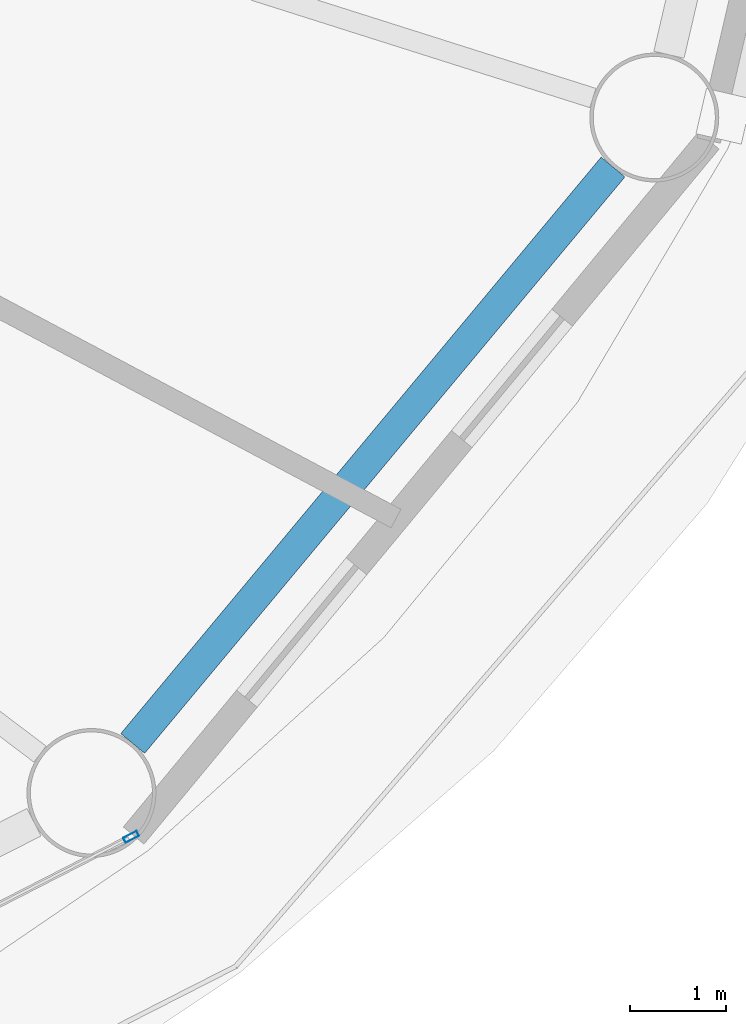
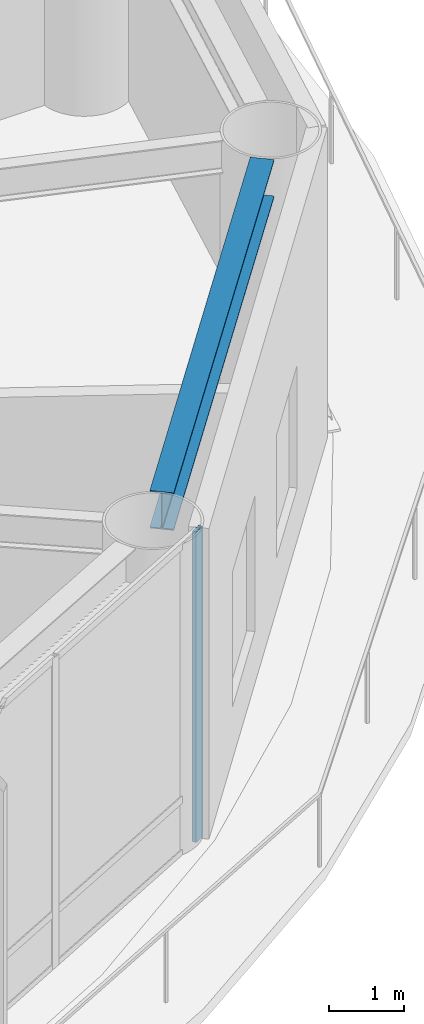
# One storey, part 7 of 25: 1 beam, 1 member, 1 element without a shape of its own.
"""IFC4 building model written with IfcOpenShell, lengths in metres."""

from ifc_helpers import new_model, si_unit, direction, frame, origin, origin_2d, place, context, subcontext, project, spatial, hollow_rectangle, i_section, extrude, material, layer, layer_set, material_profile, profile_set, type_object, element, aggregate, save


model = new_model("IFC4")

# Units and contexts
model_context = context("Model", 3, precision=1e-05, world=origin(), true_north=direction((0.0, 1.0)))
body_context = subcontext(model_context, "Body", "Model", "MODEL_VIEW")
ifc_project = project(units=[si_unit("LENGTHUNIT", "METRE"), si_unit("AREAUNIT", "SQUARE_METRE"), si_unit("VOLUMEUNIT", "CUBIC_METRE"), si_unit("PLANEANGLEUNIT", "RADIAN"), si_unit("MASSUNIT", "GRAM", prefix="KILO")], contexts=[model_context])

# Site, building, storey
site_placement = place(None, origin())
site = spatial("IfcSite", under=ifc_project, at=site_placement, CompositionType="ELEMENT")
building_placement = place(site_placement, origin())
building = spatial("IfcBuilding", under=site, at=building_placement, Name="Sarneth Arch Tower", CompositionType="ELEMENT")
storey_placement = place(building_placement, frame((0.0, 0.0, 134.39990234375)))
storey = spatial("IfcBuildingStorey", under=building, at=storey_placement, Name="L34", CompositionType="ELEMENT", Elevation=134.39990234375)

# Beam
ifc_material_1 = material(Name="Steel S355", Category="steel")
ifc_material_profile_1 = material_profile(ifc_material_1, i_section(OverallWidth=0.323974609375, OverallDepth=0.611083984375, WebThickness=0.0126953125, FlangeThickness=0.01904296875, FilletRadius=0.01904296875, at=origin_2d()), Name="W610x155")
ifc_profile_set_1 = profile_set([ifc_material_profile_1], Name="Steel S355")
beam_type = type_object("IfcBeamType", Name="BM-SPAN-610B", PredefinedType="SPANDREL", material=ifc_profile_set_1)
beam_placement = place(storey_placement, frame((68.829833984375, 27.103515625, 4.74462890625), z_axis=(0.640169116175, 0.768234015581, 0.0), x_axis=(-0.768234015581, 0.640169116175, 0.0)))
element("IfcBeam", 1, at=beam_placement, inside=storey, type_object=beam_type, Name="L34 Perimeter spandrel beam 15", PredefinedType="SPANDREL", context=body_context, shape_type="SweptSolid", body=[
    extrude(i_section(OverallWidth=0.323974609375, OverallDepth=0.611083984375, WebThickness=0.0126953125, FlangeThickness=0.01904296875, FilletRadius=0.01904296875, at=origin_2d()), origin(), (0.0, 0.0, 1.0), 7.856201171875),
])

# Curtain wall, member
ifc_material_2 = material(Name="Anodised aluminium Type AA25 and solar-control low-e laminated IGU", Category="aluminium")
ifc_layer = layer(ifc_material_2, 0.159912109375)
ifc_layer_set = layer_set([ifc_layer], Name="Anodised aluminium Type AA25 and solar-control low-e laminated IGU")
curtain_wall_type = type_object("IfcCurtainWallType", Name="CW-HOTEL-MID", PredefinedType="NOTDEFINED", material=ifc_layer_set)
curtain_wall_placement = place(storey_placement, origin())
curtain_wall = element("IfcCurtainWall", 2, at=curtain_wall_placement, inside=storey, type_object=curtain_wall_type, Name="L34 Unitised curtain wall facet 14", PredefinedType="NOTDEFINED")
ifc_material_3 = material(Name="Anodised Aluminium 6063-T6", Category="aluminium")
ifc_material_profile_2 = material_profile(ifc_material_3, hollow_rectangle(XDim=0.06005859375, YDim=0.159912109375, WallThickness=0.00390625, at=origin_2d()), Name="AL-MULL-160x60x4")
ifc_profile_set_2 = profile_set([ifc_material_profile_2], Name="Anodised Aluminium 6063-T6")
member_type = type_object("IfcMemberType", Name="CW-MULLION", PredefinedType="MULLION", material=ifc_profile_set_2)
member_placement = place(storey_placement, frame((68.813232421875, 26.1259765625, 0.0), z_axis=(0.0, 0.0, 1.0), x_axis=(-0.456031365356, 0.889963703649, 0.0)))
member = element("IfcMember", 3, at=member_placement, type_object=member_type, Name="CW-SYS-4 mullion 4", PredefinedType="MULLION", context=body_context, shape_type="SweptSolid", body=[
    extrude(hollow_rectangle(XDim=0.06005859375, YDim=0.159912109375, WallThickness=0.00390625, at=origin_2d()), origin(), (0.0, 0.0, 1.0), 5.050048828125),
])
aggregate(curtain_wall, [member])

save(model, "model.ifc")
